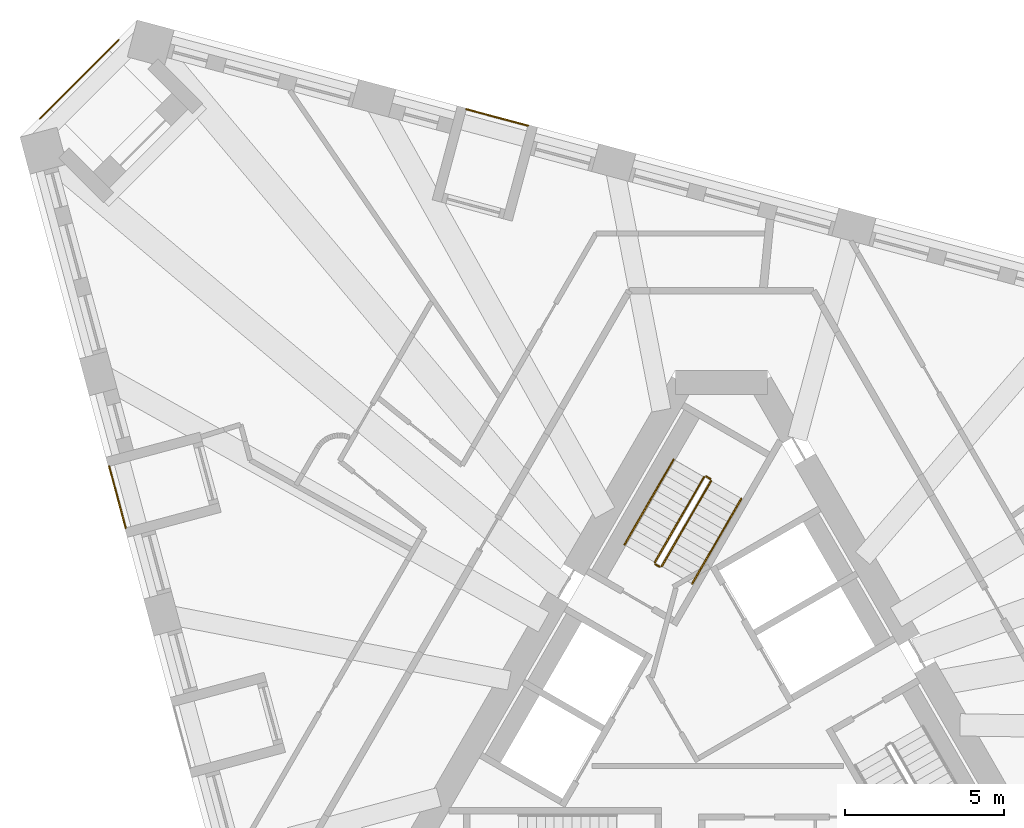
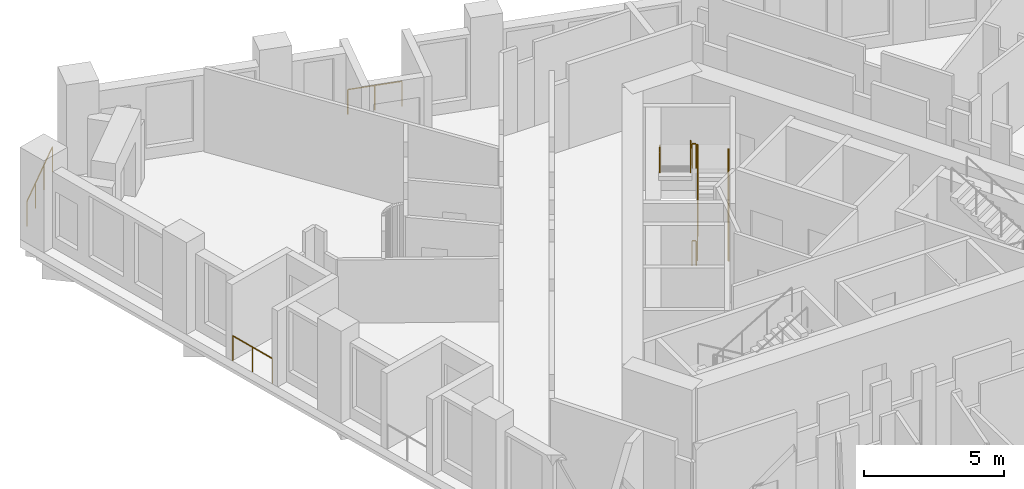
# One storey, part 12 of 13: 9 railings.
"""IFC4 building model written with IfcOpenShell, lengths in metres."""

import ifcopenshell
import ifcopenshell.guid

model = None  # the IFC model being written
_history = None  # IfcOwnerHistory: only IFC2X3 demands one
_inside = {}  # id of a spatial element -> (the spatial element, [elements in it])
_under = {}  # id of a project, library or spatial element -> (it, [spatial elements below it])
_declared = {}  # id of a project -> (the project, [libraries it declares])
_typed = {}  # id of a type object -> (the type object, [elements of that type])
_made_of = {}  # id of a material, layer set ... -> (it, [elements and type objects made of it])


def new_model(schema):
    """Start an empty IFC model of exactly this schema.

    Asked for "IFC4X3", IfcOpenShell would pick the latest addendum, in which some entities
    have other attributes; the version numbers below select the first issue.
    IFC2X3 requires an IfcOwnerHistory on every rooted entity: one is made here for all.
    """
    global model, _history
    if schema == "IFC4X3":
        model = ifcopenshell.file(schema_version=(4, 3, 0, 0))
    else:
        model = ifcopenshell.file(schema=schema)
    _inside.clear()
    _under.clear()
    _declared.clear()
    _typed.clear()
    _made_of.clear()
    _history = None
    if model.schema == "IFC2X3":
        org = make("IfcOrganization", Name="unknown")
        user = make(
            "IfcPersonAndOrganization",
            ThePerson=make("IfcPerson", FamilyName="unknown"),
            TheOrganization=org,
        )
        app = make(
            "IfcApplication",
            ApplicationDeveloper=org,
            Version="unknown",
            ApplicationFullName="unknown",
            ApplicationIdentifier="unknown",
        )
        _history = make(
            "IfcOwnerHistory",
            OwningUser=user,
            OwningApplication=app,
            ChangeAction="ADDED",
            CreationDate=0,
        )
    return model


def make(cls, **values):
    """One entity of the class cls with the attributes given. An attribute that is None is left unset."""
    return model.create_entity(
        cls, **{name: value for name, value in values.items() if value is not None}
    )


def rooted(cls, **values):
    """An entity with a GlobalId (a new one), such as an element, a storey or a relation."""
    return make(cls, GlobalId=ifcopenshell.guid.new(), OwnerHistory=_history, **values)


def si_unit(unit_type, name, prefix=None):
    """IfcSIUnit, for example si_unit("LENGTHUNIT", "METRE", prefix="MILLI")."""
    return make("IfcSIUnit", UnitType=unit_type, Prefix=prefix, Name=name)


def assignment(units):
    """IfcUnitAssignment: the units of a project."""
    return None if units is None else make("IfcUnitAssignment", Units=units)


def point(xyz):
    """IfcCartesianPoint."""
    return None if xyz is None else make("IfcCartesianPoint", Coordinates=xyz)


def direction(xyz):
    """IfcDirection."""
    return None if xyz is None else make("IfcDirection", DirectionRatios=xyz)


def frame(location, z_axis=None, x_axis=None):
    """IfcAxis2Placement3D, a coordinate frame: its origin and axes. An axis left out is left unset."""
    return make(
        "IfcAxis2Placement3D",
        Location=point(location),
        Axis=direction(z_axis),
        RefDirection=direction(x_axis),
    )


def frame_2d(location, x_axis=None):
    """IfcAxis2Placement2D, a coordinate frame in the plane: its origin and x axis."""
    return make(
        "IfcAxis2Placement2D", Location=point(location), RefDirection=direction(x_axis)
    )


def origin():
    """The frame at (0, 0, 0) with its axes left unset."""
    return frame((0.0, 0.0, 0.0))


def origin_2d():
    """The frame at (0, 0) in the plane with its x axis left unset."""
    return frame_2d((0.0, 0.0))


def place(relative_to, where):
    """IfcLocalPlacement: puts the frame where relative to a parent placement (None: the world)."""
    return make(
        "IfcLocalPlacement", PlacementRelTo=relative_to, RelativePlacement=where
    )


def context(
    kind, dimensions, precision=None, world=None, true_north=None, identifier=None
):
    """IfcGeometricRepresentationContext, for example the 3D "Model" context."""
    return make(
        "IfcGeometricRepresentationContext",
        ContextIdentifier=identifier,
        ContextType=kind,
        CoordinateSpaceDimension=dimensions,
        Precision=precision,
        WorldCoordinateSystem=world,
        TrueNorth=true_north,
    )


def subcontext(parent, identifier, kind, view, scale=None):
    """IfcGeometricRepresentationSubContext, for example "Body" below "Model"."""
    return make(
        "IfcGeometricRepresentationSubContext",
        ContextIdentifier=identifier,
        ContextType=kind,
        ParentContext=parent,
        TargetScale=scale,
        TargetView=view,
    )


def project(units=None, contexts=None):
    """IfcProject with its units and contexts."""
    return rooted(
        "IfcProject",
        Name="project",
        RepresentationContexts=contexts,
        UnitsInContext=assignment(units),
    )


def spatial(cls, under=None, at=None, **own):
    """A site, building, storey or space (cls), placed at a placement, below another one or the project."""
    s = rooted(cls, ObjectPlacement=at, **own)
    if under is not None:
        _under.setdefault(under.id(), (under, []))[1].append(s)
    return s


def profile(cls, at=None, kind="AREA", **sizes):
    """A parametric profile (cls). Its sizes go by their IFC names, for example OverallWidth=200.0."""
    return make(cls, ProfileType=kind, Position=at, **sizes)


def circle(**sizes):
    """IfcCircleProfileDef."""
    return profile("IfcCircleProfileDef", **sizes)


def extrude(swept, where, along, depth):
    """IfcExtrudedAreaSolid: the profile swept, set in the frame where, extruded along a direction by depth."""
    return make(
        "IfcExtrudedAreaSolid",
        SweptArea=swept,
        Position=where,
        ExtrudedDirection=direction(along),
        Depth=depth,
    )


def shape(context_of_items, identifier, shape_type, items):
    """IfcShapeRepresentation: the items that make up one representation, for example the "Body"."""
    return make(
        "IfcShapeRepresentation",
        ContextOfItems=context_of_items,
        RepresentationIdentifier=identifier,
        RepresentationType=shape_type,
        Items=items,
    )


def material(Name=None, Category=None):
    """IfcMaterial."""
    return make("IfcMaterial", Name=Name, Category=Category)


def made_of(thing, what):
    """Note that an element or type object is made of a material, layer set ...; save() writes the relation."""
    if what is not None:
        _made_of.setdefault(what.id(), (what, []))[1].append(thing)
    return thing


def type_object(cls, material=None, **own):
    """A type object (cls), such as IfcWallType, which elements share."""
    return made_of(rooted(cls, **own), material)


def element(
    cls,
    number,
    at=None,
    inside=None,
    cuts=None,
    type_object=None,
    material=None,
    context=None,
    identifier="Body",
    shape_type=None,
    held_by="IfcProductDefinitionShape",
    body=None,
    shapes=None,
    **own,
):
    """One element of the class cls, such as IfcWall. Its Tag is "e" and its number.

    at: its placement. inside: the storey or other place that contains it. cuts: it is an
    opening in that element (IfcRelVoidsElement). A single representation is given by context,
    identifier, shape_type and body (its items); several are given by shapes. held_by: the class
    of the entity that holds the representations. save() writes the other relations.
    """
    e = rooted(cls, Tag="e%d" % number, ObjectPlacement=at, **own)
    if body is not None:
        shapes = [shape(context, identifier, shape_type, body)]
    if shapes is not None:
        e.Representation = make(held_by, Representations=shapes)
    if inside is not None:
        _inside.setdefault(inside.id(), (inside, []))[1].append(e)
    if cuts is not None:
        rooted(
            "IfcRelVoidsElement", RelatingBuildingElement=cuts, RelatedOpeningElement=e
        )
    if type_object is not None:
        _typed.setdefault(type_object.id(), (type_object, []))[1].append(e)
    return made_of(e, material)


def aggregate(whole, parts):
    """IfcRelAggregates: a whole, such as a stair, and the parts it consists of."""
    return rooted("IfcRelAggregates", RelatingObject=whole, RelatedObjects=parts)


def save(model, path):
    """Write the relations noted so far, then the file.

    IfcRelAggregates (storeys below a building ...), IfcRelContainedInSpatialStructure (elements
    in a storey), IfcRelDefinesByType, IfcRelAssociatesMaterial and IfcRelDeclares: one each for
    every whole, place, type object, material and project.
    """
    for whole, parts in _under.values():
        aggregate(whole, parts)
    for where, things in _inside.values():
        rooted(
            "IfcRelContainedInSpatialStructure",
            RelatedElements=things,
            RelatingStructure=where,
        )
    for kind, things in _typed.values():
        rooted("IfcRelDefinesByType", RelatedObjects=things, RelatingType=kind)
    for what, things in _made_of.values():
        rooted("IfcRelAssociatesMaterial", RelatedObjects=things, RelatingMaterial=what)
    for by, libraries in _declared.values():
        rooted("IfcRelDeclares", RelatingContext=by, RelatedDefinitions=libraries)
    model.write(path)


model = new_model("IFC4")

# Units and contexts
model_context = context("Model", 3, precision=1e-05, world=origin(), true_north=direction((0.0, 1.0)))
body_context = subcontext(model_context, "Body", "Model", "MODEL_VIEW")
ifc_project = project(units=[si_unit("LENGTHUNIT", "METRE"), si_unit("AREAUNIT", "SQUARE_METRE"), si_unit("VOLUMEUNIT", "CUBIC_METRE"), si_unit("PLANEANGLEUNIT", "RADIAN"), si_unit("MASSUNIT", "GRAM", prefix="KILO")], contexts=[model_context])

# Site, building, storey
site_placement = place(None, origin())
site = spatial("IfcSite", under=ifc_project, at=site_placement, CompositionType="ELEMENT")
building_placement = place(site_placement, origin())
building = spatial("IfcBuilding", under=site, at=building_placement, Name="Tramontana Tower", CompositionType="ELEMENT")
storey_placement = place(building_placement, frame((0.0, 0.0, 220.0)))
storey = spatial("IfcBuildingStorey", under=building, at=storey_placement, Name="L51", CompositionType="ELEMENT", Elevation=220.0)

# Railings
ifc_material_1 = material(Name="Laminated glass balustrade", Category="glass")
railing_type_1 = type_object("IfcRailingType", Name="GD1 Loggia glass balustrade 1100", PredefinedType="BALUSTRADE", material=ifc_material_1)
railing_1_placement = place(storey_placement, frame((-19.193359375, 7.9951171875, 0.0)))
element("IfcRailing", 1, at=railing_1_placement, inside=storey, type_object=railing_type_1, Name="Loggia balustrade L51 G5S0.4", PredefinedType="BALUSTRADE", context=body_context, shape_type="SweptSolid", body=[
    extrude(circle(Radius=0.02392578125, at=origin_2d()), frame((0.0, 0.0, 1.076171875), z_axis=(0.258803270362, -0.96593005298, 0.0), x_axis=(0.96593005298, 0.258803270362, 0.0)), (0.0, 0.0, 1.0), 1.998046875),
    extrude(circle(Radius=0.02099609375, at=origin_2d()), origin(), (0.0, 0.0, 1.0), 1.052001953125),
    extrude(circle(Radius=0.02099609375, at=origin_2d()), frame((0.258544921875, -0.96484375, 0.0)), (0.0, 0.0, 1.0), 1.052001953125),
    extrude(circle(Radius=0.02099609375, at=origin_2d()), frame((0.51708984375, -1.929931640625, 0.0)), (0.0, 0.0, 1.0), 1.052001953125),
])
railing_2_placement = place(storey_placement, frame((-6.065185546875, 18.67626953125, 0.0)))
element("IfcRailing", 2, at=railing_2_placement, inside=storey, type_object=railing_type_1, Name="Loggia balustrade L51 G5S2.13", PredefinedType="BALUSTRADE", context=body_context, shape_type="SweptSolid", body=[
    extrude(circle(Radius=0.02392578125, at=origin_2d()), frame((0.0, 0.0, 1.076171875), z_axis=(-0.96593005298, 0.258803270362, 0.0), x_axis=(-0.258803270362, -0.96593005298, 0.0)), (0.0, 0.0, 1.0), 1.998046875),
    extrude(circle(Radius=0.02099609375, at=origin_2d()), origin(), (0.0, 0.0, 1.0), 1.052001953125),
    extrude(circle(Radius=0.02099609375, at=origin_2d()), frame((-0.96484375, 0.258544921875, 0.0)), (0.0, 0.0, 1.0), 1.052001953125),
    extrude(circle(Radius=0.02099609375, at=origin_2d()), frame((-1.929931640625, 0.51708984375, 0.0)), (0.0, 0.0, 1.0), 1.052001953125),
])
railing_3_placement = place(storey_placement, frame((-21.36865234375, 18.893798828125, 0.0)))
element("IfcRailing", 3, at=railing_3_placement, inside=storey, type_object=railing_type_1, Name="Corner loggia balustrade L51 K50", PredefinedType="BALUSTRADE", context=body_context, shape_type="SweptSolid", body=[
    extrude(circle(Radius=0.02392578125, at=origin_2d()), frame((0.0, 0.0, 1.076171875), z_axis=(0.707106781187, 0.707106781187, 0.0), x_axis=(-0.707106781187, 0.707106781187, 0.0)), (0.0, 0.0, 1.0), 3.5),
    extrude(circle(Radius=0.02099609375, at=origin_2d()), origin(), (0.0, 0.0, 1.0), 1.052001953125),
    extrude(circle(Radius=0.02099609375, at=origin_2d()), frame((0.824951171875, 0.824951171875, 0.0)), (0.0, 0.0, 1.0), 1.052001953125),
    extrude(circle(Radius=0.02099609375, at=origin_2d()), frame((1.64990234375, 1.64990234375, 0.0)), (0.0, 0.0, 1.0), 1.052001953125),
    extrude(circle(Radius=0.02099609375, at=origin_2d()), frame((2.474853515625, 2.474853515625, 0.0)), (0.0, 0.0, 1.0), 1.052001953125),
])
ifc_material_2 = material(Name="Painted steel", Category="steel")
railing_type_2 = type_object("IfcRailingType", Name="STAIR GUARD 1100", PredefinedType="GUARDRAIL", material=ifc_material_2)
railing_4_placement = place(storey_placement, frame((-1.867431640625, 4.865478515625, 0.166748046875)))
element("IfcRailing", 4, at=railing_4_placement, inside=storey, type_object=railing_type_2, Name="L51 ST1 stair guard 1", PredefinedType="GUARDRAIL", context=body_context, shape_type="SweptSolid", body=[
    extrude(circle(Radius=0.02392578125, at=origin_2d()), frame((0.0, 0.0, 1.076171875), z_axis=(0.429649414936, 0.744189839504, 0.511451721109), x_axis=(-0.866029832698, 0.499992328818, 0.0)), (0.0, 0.0, 1.0), 3.58447265625),
    extrude(circle(Radius=0.02099609375, at=origin_2d()), origin(), (0.0, 0.0, 1.0), 1.052001953125),
    extrude(circle(Radius=0.02099609375, at=origin_2d()), frame((0.513427734375, 0.88916015625, 0.611083984375)), (0.0, 0.0, 1.0), 1.052001953125),
    extrude(circle(Radius=0.02099609375, at=origin_2d()), frame((1.026611328125, 1.7783203125, 1.22216796875)), (0.0, 0.0, 1.0), 1.052001953125),
    extrude(circle(Radius=0.02099609375, at=origin_2d()), frame((1.5400390625, 2.66748046875, 1.833251953125)), (0.0, 0.0, 1.0), 1.052001953125),
])
railing_5_placement = place(storey_placement, frame((-0.5439453125, 7.657958984375, 2.166748046875)))
element("IfcRailing", 5, at=railing_5_placement, inside=storey, type_object=railing_type_2, Name="L51 ST1 stair guard 2", PredefinedType="GUARDRAIL", context=body_context, shape_type="SweptSolid", body=[
    extrude(circle(Radius=0.02392578125, at=origin_2d()), frame((0.0, 0.0, 1.076171875), z_axis=(-0.429649414936, -0.744189839504, 0.511451721109), x_axis=(0.866029832698, -0.499992328818, 0.0)), (0.0, 0.0, 1.0), 3.58447265625),
    extrude(circle(Radius=0.02099609375, at=origin_2d()), origin(), (0.0, 0.0, 1.0), 1.052001953125),
    extrude(circle(Radius=0.02099609375, at=origin_2d()), frame((-0.513427734375, -0.88916015625, 0.611083984375)), (0.0, 0.0, 1.0), 1.052001953125),
    extrude(circle(Radius=0.02099609375, at=origin_2d()), frame((-1.026611328125, -1.7783203125, 1.22216796875)), (0.0, 0.0, 1.0), 1.052001953125),
    extrude(circle(Radius=0.02099609375, at=origin_2d()), frame((-1.5400390625, -2.66748046875, 1.833251953125)), (0.0, 0.0, 1.0), 1.052001953125),
])
railing_6_placement = place(storey_placement, frame((-0.345703125, 7.601318359375, 2.0)))
element("IfcRailing", 6, at=railing_6_placement, inside=storey, type_object=railing_type_2, Name="L51 ST1 stair guard 3", PredefinedType="GUARDRAIL", context=body_context, shape_type="SweptSolid", body=[
    extrude(circle(Radius=0.02392578125, at=origin_2d()), frame((0.0, 0.0, 1.076171875), z_axis=(-0.866131372301, 0.499816412211, 0.0), x_axis=(-0.499816412211, -0.866131372301, 0.0)), (0.0, 0.0, 1.0), 0.14990234375),
    extrude(circle(Radius=0.02099609375, at=origin_2d()), origin(), (0.0, 0.0, 1.0), 1.052001953125),
    extrude(circle(Radius=0.02099609375, at=origin_2d()), frame((-0.1298828125, 0.074951171875, 0.0)), (0.0, 0.0, 1.0), 1.052001953125),
])
railing_7_placement = place(storey_placement, frame((-1.935791015625, 4.84716796875, 0.0)))
element("IfcRailing", 7, at=railing_7_placement, inside=storey, type_object=railing_type_2, Name="L51 ST1 stair guard 4", PredefinedType="GUARDRAIL", context=body_context, shape_type="SweptSolid", body=[
    extrude(circle(Radius=0.02392578125, at=origin_2d()), frame((0.0, 0.0, 1.076171875), z_axis=(-0.865426285481, 0.501036270542, 0.0), x_axis=(-0.501036270542, -0.865426285481, 0.0)), (0.0, 0.0, 1.0), 0.150146484375),
    extrude(circle(Radius=0.02099609375, at=origin_2d()), origin(), (0.0, 0.0, 1.0), 1.052001953125),
    extrude(circle(Radius=0.02099609375, at=origin_2d()), frame((-0.1298828125, 0.0751953125, 0.0)), (0.0, 0.0, 1.0), 1.052001953125),
])
ifc_material_3 = material(Name="Painted steel", Category="steel")
railing_type_3 = type_object("IfcRailingType", Name="STAIR HANDRAIL 900", PredefinedType="HANDRAIL", material=ifc_material_3)
railing_8_placement = place(storey_placement, frame((-0.914794921875, 4.315673828125, 0.166748046875)))
element("IfcRailing", 8, at=railing_8_placement, inside=storey, type_object=railing_type_3, Name="L51 ST1 stair handrail 1", PredefinedType="HANDRAIL", context=body_context, shape_type="SweptSolid", body=[
    extrude(circle(Radius=0.02392578125, at=origin_2d()), frame((0.0, 0.0, 0.8759765625), z_axis=(0.429671193721, 0.744159446956, 0.511477646425), x_axis=(-0.866010015463, 0.500026652407, 0.0)), (0.0, 0.0, 1.0), 3.584228515625),
    extrude(circle(Radius=0.02099609375, at=origin_2d()), origin(), (0.0, 0.0, 1.0), 0.851806640625),
    extrude(circle(Radius=0.02099609375, at=origin_2d()), frame((0.513427734375, 0.88916015625, 0.611083984375)), (0.0, 0.0, 1.0), 0.851806640625),
    extrude(circle(Radius=0.02099609375, at=origin_2d()), frame((1.026611328125, 1.778076171875, 1.22216796875)), (0.0, 0.0, 1.0), 0.851806640625),
    extrude(circle(Radius=0.02099609375, at=origin_2d()), frame((1.5400390625, 2.667236328125, 1.833251953125)), (0.0, 0.0, 1.0), 0.851806640625),
])
railing_9_placement = place(storey_placement, frame((-1.49658203125, 8.2080078125, 2.166748046875)))
element("IfcRailing", 9, at=railing_9_placement, inside=storey, type_object=railing_type_3, Name="L51 ST1 stair handrail 2", PredefinedType="HANDRAIL", context=body_context, shape_type="SweptSolid", body=[
    extrude(circle(Radius=0.02392578125, at=origin_2d()), frame((0.0, 0.0, 0.8759765625), z_axis=(-0.429649414936, -0.744189839504, 0.511451721109), x_axis=(0.866029832698, -0.499992328818, 0.0)), (0.0, 0.0, 1.0), 3.58447265625),
    extrude(circle(Radius=0.02099609375, at=origin_2d()), origin(), (0.0, 0.0, 1.0), 0.851806640625),
    extrude(circle(Radius=0.02099609375, at=origin_2d()), frame((-0.513427734375, -0.88916015625, 0.611083984375)), (0.0, 0.0, 1.0), 0.851806640625),
    extrude(circle(Radius=0.02099609375, at=origin_2d()), frame((-1.026611328125, -1.7783203125, 1.22216796875)), (0.0, 0.0, 1.0), 0.851806640625),
    extrude(circle(Radius=0.02099609375, at=origin_2d()), frame((-1.5400390625, -2.66748046875, 1.833251953125)), (0.0, 0.0, 1.0), 0.851806640625),
])

save(model, "model.ifc")
